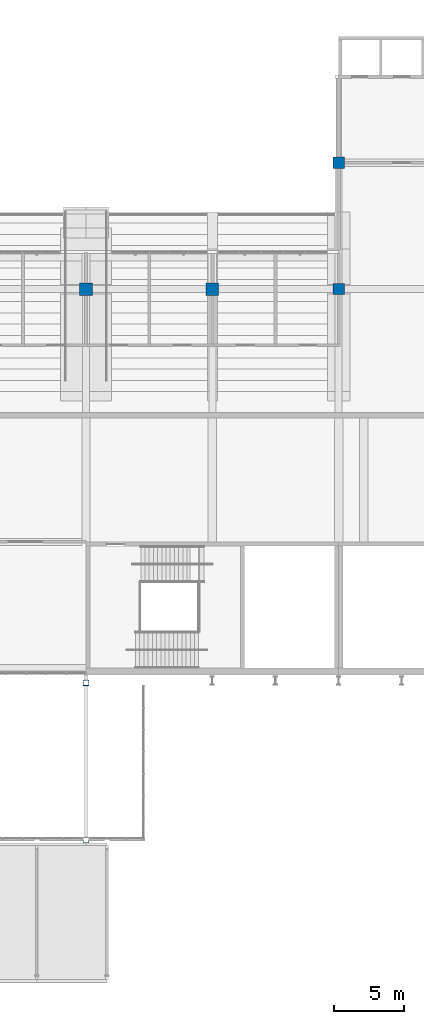
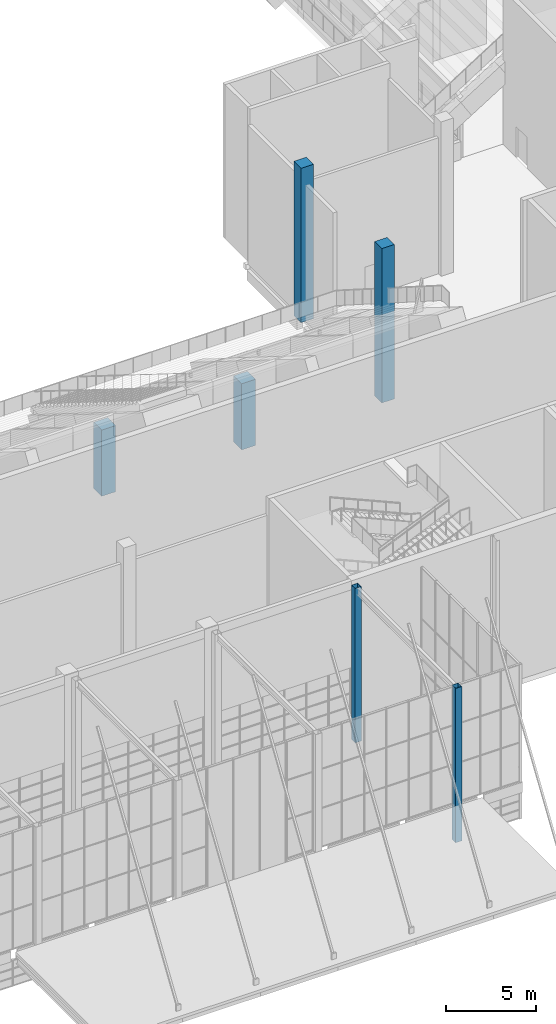
# One storey, part 9 of 182: 6 columns.
"""IFC4 building model written with IfcOpenShell, lengths in metres."""

from ifc_helpers import new_model, si_unit, direction, frame, origin, origin_2d, place, context, subcontext, project, spatial, rectangle, hollow_rectangle, extrude, material, material_profile, profile_set, type_object, element, save


model = new_model("IFC4")

# Units and contexts
model_context = context("Model", 3, precision=1e-05, world=origin(), true_north=direction((0.0, 1.0)))
body_context = subcontext(model_context, "Body", "Model", "MODEL_VIEW")
ifc_project = project(units=[si_unit("LENGTHUNIT", "METRE"), si_unit("AREAUNIT", "SQUARE_METRE"), si_unit("VOLUMEUNIT", "CUBIC_METRE"), si_unit("PLANEANGLEUNIT", "RADIAN"), si_unit("MASSUNIT", "GRAM", prefix="KILO")], contexts=[model_context])

# Site, building, storey
site_placement = place(None, origin())
site = spatial("IfcSite", under=ifc_project, at=site_placement, CompositionType="ELEMENT")
building_placement = place(site_placement, origin())
building = spatial("IfcBuilding", under=site, at=building_placement, Name="Silverbay Arena", CompositionType="ELEMENT")
storey_placement = place(building_placement, frame((0.0, 0.0, 11.5)))
storey = spatial("IfcBuildingStorey", under=building, at=storey_placement, Name="L02", CompositionType="ELEMENT", Elevation=11.5)

# Columns
ifc_material_1 = material(Name="Steel S355", Category="steel")
ifc_material_profile_1 = material_profile(ifc_material_1, hollow_rectangle(XDim=0.39990234375, YDim=0.39990234375, WallThickness=0.01611328125, at=origin_2d()), Name="SHS 400x400x16")
ifc_profile_set_1 = profile_set([ifc_material_profile_1], Name="Steel S355")
column_type_1 = type_object("IfcColumnType", Name="Hall column SHS 400x400x16", PredefinedType="COLUMN", material=ifc_profile_set_1)
for number, where, z_axis, x_axis, name in (
    (1, (144.0, 5.75, 0.0), (0.0, 0.0, 1.0), (1.0, 0.0, 0.0), "South entrance hall S1 column F4"),
    (2, (144.0, 16.949951171875, 0.0), (0.0, 0.0, 1.0), (1.0, 0.0, 0.0), "South entrance hall S1 column B4"),
):
    element("IfcColumn", number, at=place(storey_placement, frame(where, z_axis=z_axis, x_axis=x_axis)), inside=storey, type_object=column_type_1, Name=name, PredefinedType="COLUMN", context=body_context, shape_type="SweptSolid", body=[
        extrude(hollow_rectangle(XDim=0.39990234375, YDim=0.39990234375, WallThickness=0.01611328125, at=origin_2d()), origin(), (0.0, 0.0, 1.0), 10.5),
    ])
ifc_material_2 = material(Name="Concrete Grade C45", Category="concrete")
ifc_material_profile_2 = material_profile(ifc_material_2, rectangle(XDim=0.800048828125, YDim=0.800048828125, at=origin_2d()), Name="RC 800x800")
ifc_profile_set_2 = profile_set([ifc_material_profile_2], Name="Concrete Grade C45")
column_type_2 = type_object("IfcColumnType", Name="RC column 800x800", PredefinedType="COLUMN", material=ifc_profile_set_2)
for number, where, z_axis, x_axis, name in (
    (3, (162.0, 45.0, 0.0), (0.0, 0.0, 1.0), (1.0, 0.0, 0.0), "Column 19/F L02"),
    (4, (162.0, 54.0, 0.0), (0.0, 0.0, 1.0), (1.0, 0.0, 0.0), "Column 19/G L02"),
):
    element("IfcColumn", number, at=place(storey_placement, frame(where, z_axis=z_axis, x_axis=x_axis)), inside=storey, type_object=column_type_2, Name=name, PredefinedType="COLUMN", context=body_context, shape_type="SweptSolid", body=[
        extrude(rectangle(XDim=0.800048828125, YDim=0.800048828125, at=origin_2d()), origin(), (0.0, 0.0, 1.0), 10.5),
    ])
ifc_material_3 = material(Name="Concrete Grade C45", Category="concrete")
ifc_material_profile_3 = material_profile(ifc_material_3, rectangle(XDim=0.89990234375, YDim=0.89990234375, at=origin_2d()), Name="RC 900x900")
ifc_profile_set_3 = profile_set([ifc_material_profile_3], Name="Concrete Grade C45")
column_type_3 = type_object("IfcColumnType", Name="RC column 900x900", PredefinedType="COLUMN", material=ifc_profile_set_3)
for number, where, z_axis, x_axis, name in (
    (5, (144.0, 45.0, 0.0), (0.0, 0.0, 1.0), (1.0, 0.0, 0.0), "Column 17/F L02"),
    (6, (153.0, 45.0, 0.0), (0.0, 0.0, 1.0), (1.0, 0.0, 0.0), "Column 18/F L02"),
):
    element("IfcColumn", number, at=place(storey_placement, frame(where, z_axis=z_axis, x_axis=x_axis)), inside=storey, type_object=column_type_3, Name=name, PredefinedType="COLUMN", context=body_context, shape_type="SweptSolid", body=[
        extrude(rectangle(XDim=0.89990234375, YDim=0.89990234375, at=origin_2d()), origin(), (0.0, 0.0, 1.0), 4.505615234375),
    ])

save(model, "model.ifc")
